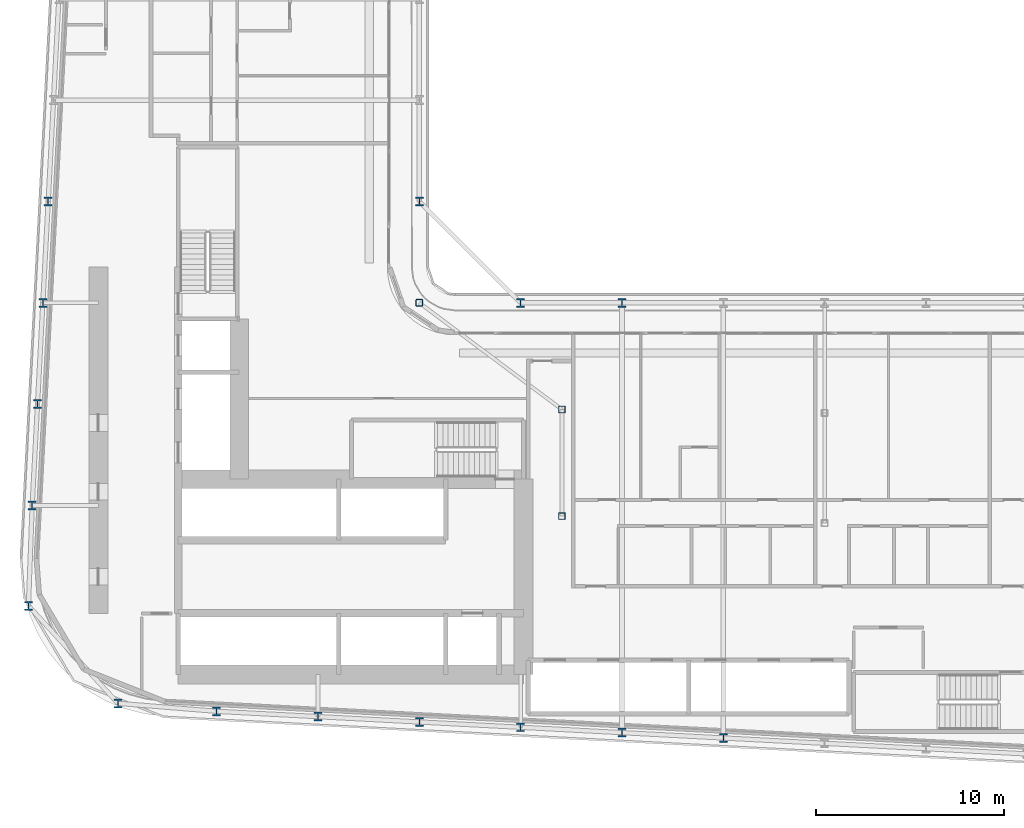
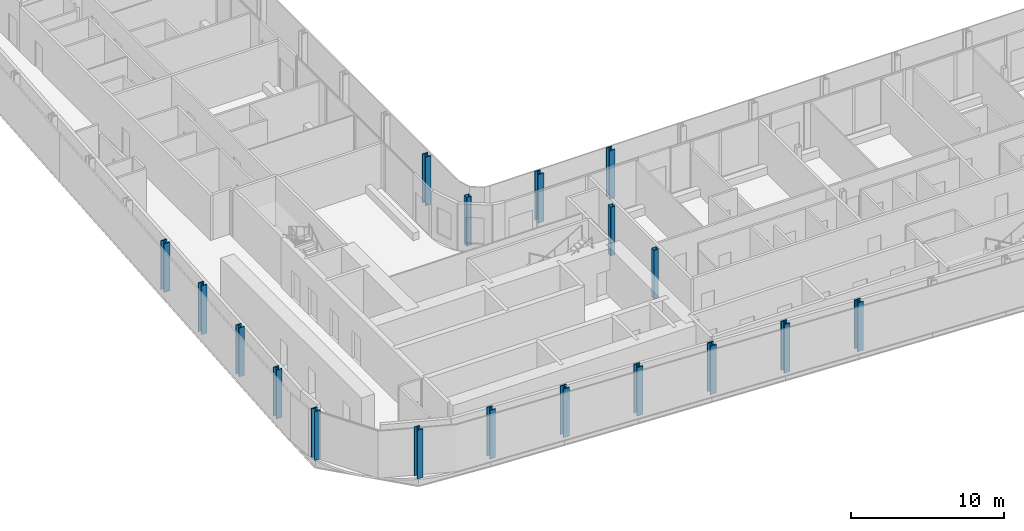
# One storey, part 1 of 27: 18 columns.
"""IFC4 building model written with IfcOpenShell, lengths in metres."""

from ifc_helpers import new_model, si_unit, direction, frame, origin, origin_2d, place, context, subcontext, project, spatial, hollow_rectangle, i_section, extrude, material, material_profile, profile_set, type_object, element, save


model = new_model("IFC4")

# Units and contexts
model_context = context("Model", 3, precision=1e-05, world=origin(), true_north=direction((0.0, 1.0)))
body_context = subcontext(model_context, "Body", "Model", "MODEL_VIEW")
ifc_project = project(units=[si_unit("LENGTHUNIT", "METRE"), si_unit("AREAUNIT", "SQUARE_METRE"), si_unit("VOLUMEUNIT", "CUBIC_METRE"), si_unit("PLANEANGLEUNIT", "RADIAN"), si_unit("MASSUNIT", "GRAM", prefix="KILO")], contexts=[model_context])

# Site, building, storey
site_placement = place(None, origin())
site = spatial("IfcSite", under=ifc_project, at=site_placement, CompositionType="ELEMENT")
building_placement = place(site_placement, origin())
building = spatial("IfcBuilding", under=site, at=building_placement, Name="Kheshtan School and Residences Tower", CompositionType="ELEMENT")
storey_placement = place(building_placement, frame((0.0, 0.0, 53.89990234375)))
storey = spatial("IfcBuildingStorey", under=building, at=storey_placement, Name="L12", CompositionType="ELEMENT", Elevation=53.89990234375)

# Columns
ifc_material_1 = material(Name="Steel ASTM A992 Grade 50", Category="steel")
ifc_material_profile_1 = material_profile(ifc_material_1, i_section(OverallWidth=0.424072265625, OverallDepth=0.47412109375, WebThickness=0.047607421875, FlangeThickness=0.0771484375, FilletRadius=0.01416015625, at=origin_2d()), Name="W360x634")
ifc_profile_set_1 = profile_set([ifc_material_profile_1], Name="Steel ASTM A992 Grade 50")
column_type_1 = type_object("IfcColumnType", Name="Column C1 W360x634 ASTM A992 Grade 50", PredefinedType="COLUMN", material=ifc_profile_set_1)
for number, where, z_axis, x_axis, name in (
    (1, (63.800048828125, 22.410888671875, 0.0), (0.0, 0.0, 1.0), (1.0, 0.0, 0.0), "Column C016"),
    (2, (58.39990234375, 22.695068359375, 0.0), (0.0, 0.0, 1.0), (1.0, 0.0, 0.0), "Column C018"),
    (3, (53.0, 22.97998046875, 0.0), (0.0, 0.0, 1.0), (1.0, 0.0, 0.0), "Column C019"),
    (4, (47.60009765625, 23.263916015625, 0.0), (0.0, 0.0, 1.0), (1.0, 0.0, 0.0), "Column C020"),
    (5, (42.199951171875, 23.548095703125, 0.0), (0.0, 0.0, 1.0), (1.0, 0.0, 0.0), "Column C021"),
    (6, (36.800048828125, 23.83203125, 0.0), (0.0, 0.0, 1.0), (1.0, 0.0, 0.0), "Column C022"),
    (7, (31.5419921875, 24.257080078125, 0.0), (0.0, 0.0, 1.0), (1.0, 0.0, 0.0), "Column C025"),
    (8, (26.76904296875, 29.4541015625, 0.0), (0.0, 0.0, 1.0), (1.0, 0.0, 0.0), "Column C038"),
    (9, (26.968994140625, 34.800048828125, 0.0), (0.0, 0.0, 1.0), (1.0, 0.0, 0.0), "Column C052"),
    (10, (27.2529296875, 40.199951171875, 0.0), (0.0, 0.0, 1.0), (1.0, 0.0, 0.0), "Column C056"),
    (11, (27.537109375, 45.60009765625, 0.0), (0.0, 0.0, 1.0), (1.0, 0.0, 0.0), "Column C059"),
    (12, (53.0, 45.60009765625, 0.0), (0.0, 0.0, 1.0), (1.0, 0.0, 0.0), "Column C061"),
    (13, (58.39990234375, 45.60009765625, 0.0), (0.0, 0.0, 1.0), (1.0, 0.0, 0.0), "Column C062"),
    (14, (27.822021484375, 51.0, 0.0), (0.0, 0.0, 1.0), (1.0, 0.0, 0.0), "Column C078"),
    (15, (47.60009765625, 51.0, 0.0), (0.0, 0.0, 1.0), (1.0, 0.0, 0.0), "Column C079"),
):
    element("IfcColumn", number, at=place(storey_placement, frame(where, z_axis=z_axis, x_axis=x_axis)), inside=storey, type_object=column_type_1, Name=name, PredefinedType="COLUMN", context=body_context, shape_type="SweptSolid", body=[
        extrude(i_section(OverallWidth=0.424072265625, OverallDepth=0.47412109375, WebThickness=0.047607421875, FlangeThickness=0.0771484375, FilletRadius=0.01416015625, at=origin_2d()), origin(), (0.0, 0.0, 1.0), 3.900146484375),
    ])
ifc_material_2 = material(Name="Steel ASTM A500 Grade C", Category="steel")
ifc_material_profile_2 = material_profile(ifc_material_2, hollow_rectangle(XDim=0.35595703125, YDim=0.35595703125, WallThickness=0.015869140625, InnerFilletRadius=0.015869140625, OuterFilletRadius=0.03173828125, at=origin_2d()), Name="HSS 356x356x15.9")
ifc_profile_set_2 = profile_set([ifc_material_profile_2], Name="Steel ASTM A500 Grade C")
column_type_2 = type_object("IfcColumnType", Name="Column IC1 HSS 356x356x15.9 ASTM A500 Grade C", PredefinedType="COLUMN", material=ifc_profile_set_2)
for number, where, z_axis, x_axis, name in (
    (16, (55.199951171875, 34.23193359375, 0.0), (0.0, 0.0, 1.0), (1.0, 0.0, 0.0), "Column C051"),
    (17, (55.199951171875, 39.916015625, 0.0), (0.0, 0.0, 1.0), (1.0, 0.0, 0.0), "Column C055"),
    (18, (47.60009765625, 45.60009765625, 0.0), (0.0, 0.0, 1.0), (1.0, 0.0, 0.0), "Column C060"),
):
    element("IfcColumn", number, at=place(storey_placement, frame(where, z_axis=z_axis, x_axis=x_axis)), inside=storey, type_object=column_type_2, Name=name, PredefinedType="COLUMN", context=body_context, shape_type="SweptSolid", body=[
        extrude(hollow_rectangle(XDim=0.35595703125, YDim=0.35595703125, WallThickness=0.015869140625, InnerFilletRadius=0.015869140625, OuterFilletRadius=0.03173828125, at=origin_2d()), origin(), (0.0, 0.0, 1.0), 3.900146484375),
    ])

save(model, "model.ifc")
